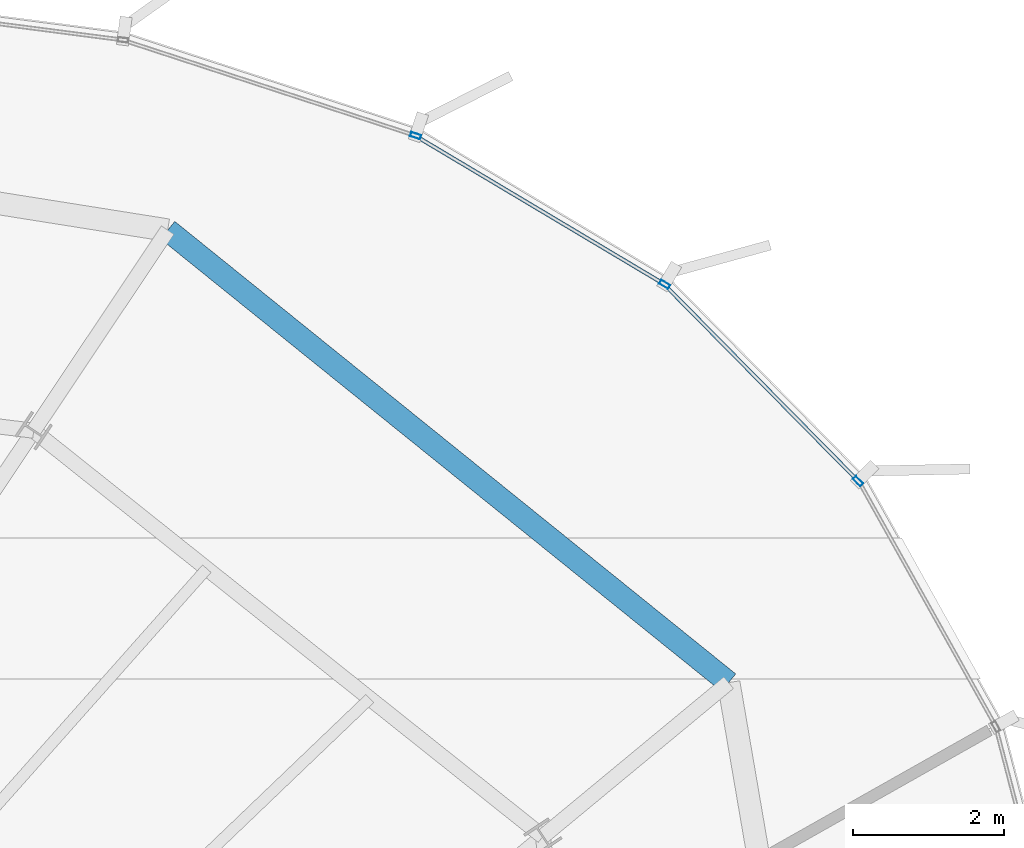
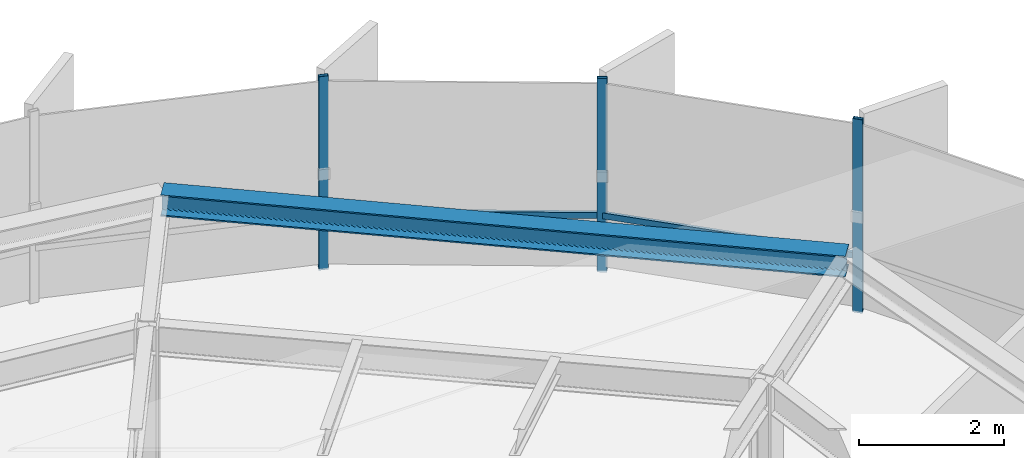
# One storey, part 26 of 34: 5 members, 1 beam, 1 element without a shape of its own.
"""IFC4 building model written with IfcOpenShell, lengths in metres."""

from ifc_helpers import new_model, si_unit, direction, frame, origin, origin_2d, place, context, subcontext, project, spatial, hollow_rectangle, i_section, extrude, source, transform, mapped, material, layer, layer_set, material_profile, profile_set, type_object, element, aggregate, save


model = new_model("IFC4")

# Units and contexts
model_context = context("Model", 3, precision=1e-05, world=origin(), true_north=direction((0.0, 1.0)))
body_context = subcontext(model_context, "Body", "Model", "MODEL_VIEW")
ifc_project = project(units=[si_unit("LENGTHUNIT", "METRE"), si_unit("AREAUNIT", "SQUARE_METRE"), si_unit("VOLUMEUNIT", "CUBIC_METRE"), si_unit("PLANEANGLEUNIT", "RADIAN"), si_unit("MASSUNIT", "GRAM", prefix="KILO"), si_unit("THERMODYNAMICTEMPERATUREUNIT", "KELVIN")], contexts=[model_context])

# Site, building, storey
site_placement = place(None, origin())
site = spatial("IfcSite", under=ifc_project, at=site_placement, CompositionType="ELEMENT")
building_placement = place(site_placement, origin())
building = spatial("IfcBuilding", under=site, at=building_placement, Name="Kethvar Cultural Tower", CompositionType="ELEMENT")
storey_placement = place(building_placement, frame((0.0, 0.0, 183.39990234375)))
storey = spatial("IfcBuildingStorey", under=building, at=storey_placement, Name="L47", CompositionType="ELEMENT", Elevation=183.39990234375)

# Beam
ifc_material_1 = material(Name="Steel S355J2", Category="steel")
ifc_material_profile_1 = material_profile(ifc_material_1, i_section(OverallWidth=0.300048828125, OverallDepth=0.360107421875, WebThickness=0.012451171875, FlangeThickness=0.0224609375, FilletRadius=0.027099609375, at=origin_2d()), Name="Steel S355J2 — HEB360")
ifc_profile_set_1 = profile_set([ifc_material_profile_1], Name="Steel S355J2 — HEB360")
beam_type = type_object("IfcBeamType", Name="BM-SP360", PredefinedType="SPANDREL", material=ifc_profile_set_1)
shared_shape_1 = source(origin(), body_context, "Body", "SweptSolid", [
    extrude(i_section(OverallWidth=0.300048828125, OverallDepth=0.360107421875, WebThickness=0.012451171875, FlangeThickness=0.0224609375, FilletRadius=0.027099609375, at=origin_2d()), origin(), (0.0, 0.0, 1.0), 9.563232421875),
])
beam_placement = place(storey_placement, frame((67.96923828125, 42.338134765625, 3.078125), z_axis=(-0.77833939171, 0.627843763458, 0.0), x_axis=(-0.627843763458, -0.77833939171, 0.0)))
element("IfcBeam", 1, at=beam_placement, inside=storey, type_object=beam_type, Name="L47 Perimeter Spandrel Beam SP-02", PredefinedType="SPANDREL", context=body_context, shape_type="MappedRepresentation", body=[
    mapped(shared_shape_1, transform((0.0, 0.0, 0.0), scale=1.0)),
])

# Curtain wall, members
ifc_material_2 = material(Name="Aluminium 6063-T6", Category="aluminium")
ifc_layer = layer(ifc_material_2, 0.179931640625, Name="Aluminium 6063-T6", Category="aluminium")
ifc_layer_set = layer_set([ifc_layer], Name="Aluminium 6063-T6 (180 mm)")
curtain_wall_type = type_object("IfcCurtainWallType", Name="CW-SYS-04-Z34", PredefinedType="NOTDEFINED", material=ifc_layer_set)
curtain_wall_placement = place(storey_placement, origin())
curtain_wall = element("IfcCurtainWall", 2, at=curtain_wall_placement, inside=storey, type_object=curtain_wall_type, Name="L47 Curtain Wall Run 01", PredefinedType="NOTDEFINED")
ifc_material_profile_2 = material_profile(ifc_material_2, hollow_rectangle(XDim=0.06005859375, YDim=0.139892578125, WallThickness=0.0048828125, at=origin_2d()), Name="Aluminium 6063-T6 — RHS140x60x5")
ifc_profile_set_2 = profile_set([ifc_material_profile_2], Name="Aluminium 6063-T6 — RHS140x60x5")
member_type_1 = type_object("IfcMemberType", Name="CW-SYS-04-Z34-MUL", PredefinedType="MULLION", material=ifc_profile_set_2)
shared_shape_2 = source(origin(), body_context, "Body", "SweptSolid", [
    extrude(hollow_rectangle(XDim=0.06005859375, YDim=0.139892578125, WallThickness=0.0048828125, at=origin_2d()), origin(), (0.0, 0.0, 1.0), 3.260009765625),
])
member_1_placement = place(storey_placement, frame((69.68701171875, 45.013916015625, 0.0), z_axis=(0.0, 0.0, 1.0), x_axis=(-0.712050555322, -0.70212819817, 0.0)))
member_1 = element("IfcMember", 3, at=member_1_placement, type_object=member_type_1, Name="CW-L47-R01 Mullion 1", PredefinedType="MULLION", context=body_context, shape_type="MappedRepresentation", body=[
    mapped(shared_shape_2, transform((0.0, 0.0, 0.0), scale=1.0)),
])
member_2_placement = place(storey_placement, frame((67.118896484375, 47.62353515625, 0.0), z_axis=(0.0, 0.0, 1.0), x_axis=(-0.512087839204, -0.858933085252, 0.0)))
member_2 = element("IfcMember", 4, at=member_2_placement, type_object=member_type_1, Name="CW-L47-R01 Mullion 2", PredefinedType="MULLION", context=body_context, shape_type="MappedRepresentation", body=[
    mapped(shared_shape_2, transform((0.0, 0.0, 0.0), scale=1.0)),
])
member_3_placement = place(storey_placement, frame((63.815673828125, 49.595947265625, 0.0), z_axis=(0.0, 0.0, 1.0), x_axis=(-0.310510528609, -0.950569940416, 0.0)))
member_3 = element("IfcMember", 5, at=member_3_placement, type_object=member_type_1, Name="CW-L47-R01 Mullion 3", PredefinedType="MULLION", context=body_context, shape_type="MappedRepresentation", body=[
    mapped(shared_shape_2, transform((0.0, 0.0, 0.0), scale=1.0)),
])
ifc_material_profile_3 = material_profile(ifc_material_2, hollow_rectangle(XDim=0.050048828125, YDim=0.10009765625, WallThickness=0.00390625, at=origin_2d()), Name="Aluminium 6063-T6 — RHS100x50x4")
ifc_profile_set_3 = profile_set([ifc_material_profile_3], Name="Aluminium 6063-T6 — RHS100x50x4")
member_type_2 = type_object("IfcMemberType", Name="CW-SYS-04-Z34-TRN", PredefinedType="USERDEFINED", material=ifc_profile_set_3)
shared_shape_3 = source(origin(), body_context, "Body", "SweptSolid", [
    extrude(hollow_rectangle(XDim=0.050048828125, YDim=0.10009765625, WallThickness=0.00390625, at=origin_2d()), origin(), (0.0, 0.0, 1.0), 3.6416015625),
])
member_4_placement = place(storey_placement, frame((69.68408203125, 45.01708984375, 0.9501953125), z_axis=(-0.702128287588, 0.712050467151, 0.0), x_axis=(-0.712050467151, -0.702128287588, 0.0)))
member_4 = element("IfcMember", 6, at=member_4_placement, type_object=member_type_2, Name="CW-L47-R01 Transom 1", ObjectType="TRANSOM", PredefinedType="USERDEFINED", context=body_context, shape_type="MappedRepresentation", body=[
    mapped(shared_shape_3, transform((0.0, 0.0, 0.0), scale=1.0)),
])
shared_shape_4 = source(origin(), body_context, "Body", "SweptSolid", [
    extrude(hollow_rectangle(XDim=0.050048828125, YDim=0.10009765625, WallThickness=0.00390625, at=origin_2d()), origin(), (0.0, 0.0, 1.0), 3.78515625),
])
member_5_placement = place(storey_placement, frame((67.081787109375, 47.6455078125, 0.9501953125), z_axis=(-0.85891805879, 0.512113042486, 0.0), x_axis=(-0.512113042486, -0.85891805879, 0.0)))
member_5 = element("IfcMember", 7, at=member_5_placement, type_object=member_type_2, Name="CW-L47-R01 Transom 2", ObjectType="TRANSOM", PredefinedType="USERDEFINED", context=body_context, shape_type="MappedRepresentation", body=[
    mapped(shared_shape_4, transform((0.0, 0.0, 0.0), scale=1.0)),
])
aggregate(curtain_wall, [member_1, member_2, member_3, member_4, member_5])

save(model, "model.ifc")
